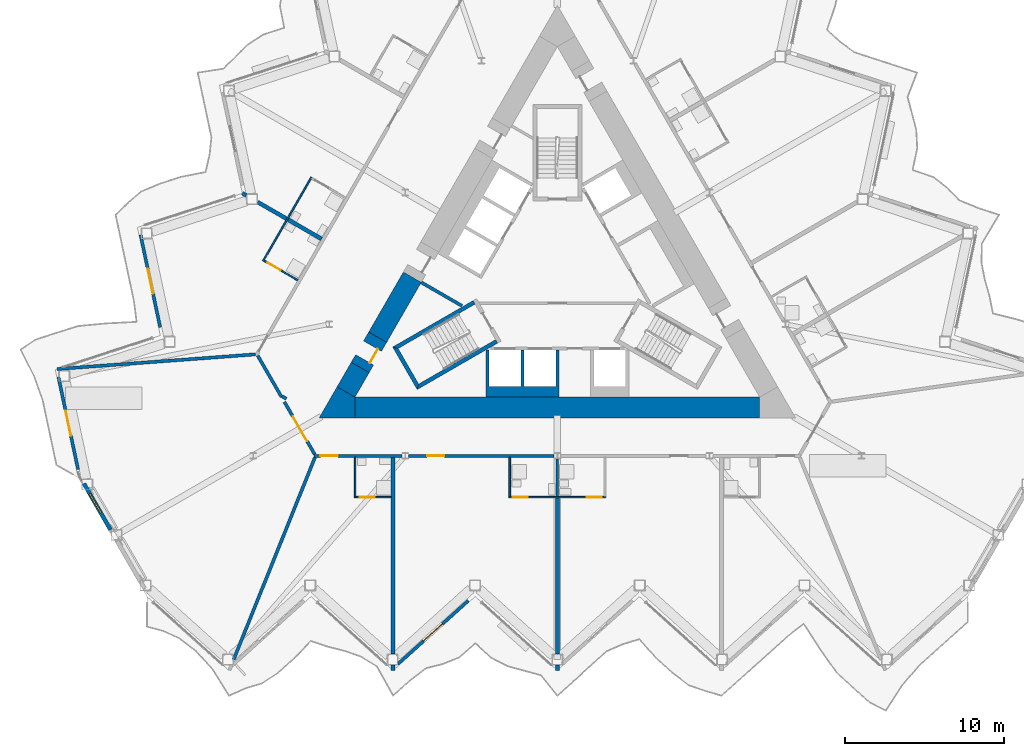
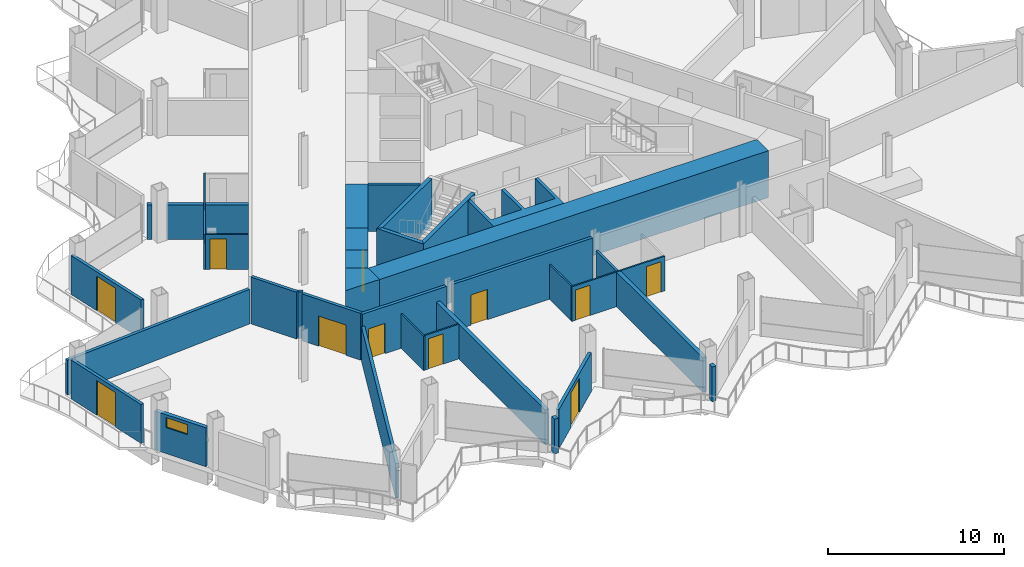
# One storey, part 11 of 24: 34 walls, 11 doors, 1 window, 12 openings.
"""IFC4 building model written with IfcOpenShell, lengths in metres."""

from ifc_helpers import new_model, si_unit, direction, frame, frame_2d, origin, place, context, subcontext, project, spatial, polyline, rectangle, outline, extrude, material, layer, layer_set, type_object, element, fill, save


model = new_model("IFC4")

# Units and contexts
model_context = context("Model", 3, precision=1e-05, world=origin(), true_north=direction((0.0, 1.0)))
body_context = subcontext(model_context, "Body", "Model", "MODEL_VIEW")
ifc_project = project(units=[si_unit("LENGTHUNIT", "METRE"), si_unit("AREAUNIT", "SQUARE_METRE"), si_unit("VOLUMEUNIT", "CUBIC_METRE"), si_unit("PLANEANGLEUNIT", "RADIAN"), si_unit("MASSUNIT", "GRAM", prefix="KILO")], contexts=[model_context])

# Site, building, storey
site_placement = place(None, origin())
site = spatial("IfcSite", under=ifc_project, at=site_placement, CompositionType="ELEMENT")
building_placement = place(site_placement, origin())
building = spatial("IfcBuilding", under=site, at=building_placement, Name="Cormorant Prow Tower", CompositionType="ELEMENT")
storey_placement = place(building_placement, frame((0.0, 0.0, 231.0)))
storey = spatial("IfcBuildingStorey", under=building, at=storey_placement, Name="L50", CompositionType="ELEMENT", Elevation=231.0)

# Walls
ifc_material_1 = material(Name="Concrete 8000 psi", Category="concrete")
ifc_layer_1 = layer(ifc_material_1, 1.300048828125)
ifc_layer_set_1 = layer_set([ifc_layer_1], Name="Concrete 8000 psi")
wall_type_1 = type_object("IfcWallType", Name="Core shear wall 1300", PredefinedType="SHEAR", material=ifc_layer_set_1)
wall_1_placement = place(storey_placement, frame((-12.748291015625, -8.01025390625, 0.0), z_axis=(0.0, 0.0, 1.0), x_axis=(1.0, 0.0, 0.0)))
element("IfcWall", 1, at=wall_1_placement, inside=storey, type_object=wall_type_1, Name="Core wall", PredefinedType="SHEAR", context=body_context, shape_type="SweptSolid", body=[
    extrude(rectangle(XDim=25.49658203125, YDim=1.300048828125, at=frame_2d((12.748291015625, 0.0))), origin(), (0.0, 0.0, 1.0), 3.25),
])
wall_2_placement = place(storey_placement, frame((-9.13720703125, 0.194580078125, 0.0), z_axis=(0.0, 0.0, 1.0), x_axis=(-0.499985697398, -0.866033661238, 0.0)))
element("IfcWall", 2, at=wall_2_placement, inside=storey, type_object=wall_type_1, Name="Core wall", PredefinedType="SHEAR", context=body_context, shape_type="SweptSolid", body=[
    extrude(rectangle(XDim=4.362060546875, YDim=1.300048828125, at=frame_2d((2.18115234375, 0.0))), origin(), (0.0, 0.0, 1.0), 3.25),
])
wall_3_placement = place(storey_placement, frame((-12.418212890625, -5.48828125, 0.0), z_axis=(0.0, 0.0, 1.0), x_axis=(-0.499931460552, -0.866064971437, 0.0)))
element("IfcWall", 3, at=wall_3_placement, inside=storey, type_object=wall_type_1, Name="Core wall", PredefinedType="SHEAR", context=body_context, shape_type="SweptSolid", body=[
    extrude(rectangle(XDim=1.786376953125, YDim=1.300048828125, at=frame_2d((0.89306640625, 0.0))), origin(), (0.0, 0.0, 1.0), 3.25),
])
wall_4_placement = place(storey_placement, origin())
element("IfcWall", 4, at=wall_4_placement, inside=storey, type_object=wall_type_1, Name="Core wall corner", PredefinedType="SHEAR", context=body_context, shape_type="SweptSolid", body=[
    extrude(outline(polyline([(-13.874267578125, -6.710205078125), (-12.748291015625, -7.3603515625), (-12.748291015625, -8.660400390625), (-15.0, -8.660400390625), (-13.874267578125, -6.710205078125)])), origin(), (0.0, 0.0, 1.0), 3.25),
])

# Wall, opening, door
wall_5_placement = place(storey_placement, frame((-11.318115234375, -3.5830078125, 0.0), z_axis=(0.0, 0.0, 1.0), x_axis=(-0.50002983664, -0.866008176907, 0.0)))
wall_5 = element("IfcWall", 5, at=wall_5_placement, inside=storey, type_object=wall_type_1, Name="Core wall door panel", PredefinedType="SHEAR", context=body_context, shape_type="SweptSolid", body=[
    extrude(rectangle(XDim=2.199951171875, YDim=1.300048828125, at=frame_2d((1.10009765625, 0.0))), origin(), (0.0, 0.0, 1.0), 3.25),
])
opening_1_placement = place(wall_5_placement, frame((0.64990234375, 0.0, 0.0)))
opening_1 = element("IfcOpeningElement", 6, at=opening_1_placement, cuts=wall_5, Name="Opening L50-C14", PredefinedType="OPENING", context=body_context, shape_type="SweptSolid", body=[
    extrude(rectangle(XDim=1.0, YDim=2.10009765625, at=frame_2d((0.5, 1.050048828125))), frame((0.0, 0.659912109375, 0.0), z_axis=(0.0, -1.0, 0.0), x_axis=(1.0, 0.0, 0.0)), (0.0, 0.0, 1.0), 1.320068359375),
])
ifc_material_2 = material(Name="Painted steel", Category="steel")
door_type_1 = type_object("IfcDoorType", Name="Service door 1000x2100", OperationType="NOTDEFINED", PredefinedType="DOOR", material=ifc_material_2)
door_1_placement = place(opening_1_placement, origin())
door_1 = element("IfcDoor", 7, at=door_1_placement, inside=storey, type_object=door_type_1, Name="Core door, Housekeeping store", OperationType="SINGLE_SWING_LEFT", OverallHeight=2.10009765625, OverallWidth=1.0, PredefinedType="DOOR", context=body_context, shape_type="SweptSolid", body=[
    extrude(rectangle(XDim=1.0, YDim=2.10009765625, at=frame_2d((0.5, 1.050048828125))), frame((0.0, 0.40478515625, 0.0), z_axis=(0.0, -1.0, 0.0), x_axis=(1.0, 0.0, 0.0)), (0.0, 0.0, 1.0), 0.050048828125),
])
fill(opening_1, door_1)

ifc_material_3 = material(Name="Gypsum board corridor wall")
ifc_layer_2 = layer(ifc_material_3, 0.199951171875)
ifc_layer_set_2 = layer_set([ifc_layer_2], Name="Gypsum board corridor wall")
wall_type_2 = type_object("IfcWallType", Name="Corridor wall 200", PredefinedType="PARTITIONING", material=ifc_layer_set_2)
wall_6_placement = place(storey_placement, frame((-9.368896484375, -11.060302734375, 0.0), z_axis=(0.0, 0.0, 1.0), x_axis=(1.0, 0.0, 0.0)))
wall_6 = element("IfcWall", 8, at=wall_6_placement, inside=storey, type_object=wall_type_2, Name="Corridor wall", PredefinedType="PARTITIONING", context=body_context, shape_type="SweptSolid", body=[
    extrude(rectangle(XDim=9.159423828125, YDim=0.199951171875, at=frame_2d((4.57958984375, 0.0))), origin(), (0.0, 0.0, 1.0), 3.25),
])
opening_2_placement = place(wall_6_placement, frame((1.1572265625, 0.0, 0.0)))
opening_2 = element("IfcOpeningElement", 9, at=opening_2_placement, cuts=wall_6, Name="Opening L50-F03", PredefinedType="OPENING", context=body_context, shape_type="SweptSolid", body=[
    extrude(rectangle(XDim=1.10009765625, YDim=2.10009765625, at=frame_2d((0.550048828125, 1.050048828125))), frame((0.0, 0.10986328125, 0.0), z_axis=(0.0, -1.0, 0.0), x_axis=(1.0, 0.0, 0.0)), (0.0, 0.0, 1.0), 0.219970703125),
])
ifc_material_4 = material(Name="Timber door leaf", Category="wood")
door_type_2 = type_object("IfcDoorType", Name="Suite entrance door 1100x2100", OperationType="NOTDEFINED", PredefinedType="DOOR", material=ifc_material_4)
door_2_placement = place(opening_2_placement, origin())
door_2 = element("IfcDoor", 10, at=door_2_placement, inside=storey, type_object=door_type_2, Name="Junior suite door", OperationType="SINGLE_SWING_RIGHT", OverallHeight=2.10009765625, OverallWidth=1.10009765625, PredefinedType="DOOR", context=body_context, shape_type="SweptSolid", body=[
    extrude(rectangle(XDim=1.10009765625, YDim=2.10009765625, at=frame_2d((0.550048828125, 1.050048828125))), frame((0.0, 0.02490234375, 0.0), z_axis=(0.0, -1.0, 0.0), x_axis=(1.0, 0.0, 0.0)), (0.0, 0.0, 1.0), 0.050048828125),
])
fill(opening_2, door_2)

wall_7_placement = place(storey_placement, frame((-15.330810546875, -11.060302734375, 0.0), z_axis=(0.0, 0.0, 1.0), x_axis=(1.0, 0.0, 0.0)))
wall_7 = element("IfcWall", 11, at=wall_7_placement, inside=storey, type_object=wall_type_2, Name="Corridor wall", PredefinedType="PARTITIONING", context=body_context, shape_type="SweptSolid", body=[
    extrude(rectangle(XDim=5.542724609375, YDim=0.199951171875, at=frame_2d((2.771484375, 0.0))), origin(), (0.0, 0.0, 1.0), 3.25),
])
opening_3_placement = place(wall_7_placement, frame((0.403076171875, 0.0, 0.0)))
opening_3 = element("IfcOpeningElement", 12, at=opening_3_placement, cuts=wall_7, Name="Opening L50-F01", PredefinedType="OPENING", context=body_context, shape_type="SweptSolid", body=[
    extrude(rectangle(XDim=1.10009765625, YDim=2.10009765625, at=frame_2d((0.550048828125, 1.050048828125))), frame((0.0, 0.10986328125, 0.0), z_axis=(0.0, -1.0, 0.0), x_axis=(1.0, 0.0, 0.0)), (0.0, 0.0, 1.0), 0.219970703125),
])
door_3_placement = place(opening_3_placement, origin())
door_3 = element("IfcDoor", 13, at=door_3_placement, inside=storey, type_object=door_type_2, Name="Junior suite door", OperationType="SINGLE_SWING_LEFT", OverallHeight=2.10009765625, OverallWidth=1.10009765625, PredefinedType="DOOR", context=body_context, shape_type="SweptSolid", body=[
    extrude(rectangle(XDim=1.10009765625, YDim=2.10009765625, at=frame_2d((0.550048828125, 1.050048828125))), frame((0.0, 0.02490234375, 0.0), z_axis=(0.0, -1.0, 0.0), x_axis=(1.0, 0.0, 0.0)), (0.0, 0.0, 1.0), 0.050048828125),
])
fill(opening_3, door_3)

wall_8_placement = place(storey_placement, frame((-17.19384765625, -7.660400390625, 0.0), z_axis=(0.0, 0.0, 1.0), x_axis=(0.499989446428, -0.866031496806, 0.0)))
wall_8 = element("IfcWall", 14, at=wall_8_placement, inside=storey, type_object=wall_type_2, Name="Corridor wall", PredefinedType="PARTITIONING", context=body_context, shape_type="SweptSolid", body=[
    extrude(rectangle(XDim=3.82568359375, YDim=0.199951171875, at=frame_2d((1.912841796875, 0.0))), origin(), (0.0, 0.0, 1.0), 3.25),
])
opening_4_placement = place(wall_8_placement, frame((1.06396484375, 0.0, 0.0)))
opening_4 = element("IfcOpeningElement", 15, at=opening_4_placement, cuts=wall_8, Name="Opening L50-F26", PredefinedType="OPENING", context=body_context, shape_type="SweptSolid", body=[
    extrude(rectangle(XDim=1.800048828125, YDim=2.10009765625, at=frame_2d((0.89990234375, 1.050048828125))), frame((0.0, 0.10986328125, 0.0), z_axis=(0.0, -1.0, 0.0), x_axis=(1.0, 0.0, 0.0)), (0.0, 0.0, 1.0), 0.219970703125),
])
ifc_material_5 = material(Name="Timber door leaf", Category="wood")
door_type_3 = type_object("IfcDoorType", Name="Double door 1800x2100", OperationType="DOUBLE_DOOR_SINGLE_SWING", PredefinedType="DOOR", material=ifc_material_5)
door_4_placement = place(opening_4_placement, origin())
door_4 = element("IfcDoor", 16, at=door_4_placement, inside=storey, type_object=door_type_3, Name="Co-working space door", OperationType="DOUBLE_DOOR_SINGLE_SWING", OverallHeight=2.10009765625, OverallWidth=1.800048828125, PredefinedType="DOOR", context=body_context, shape_type="SweptSolid", body=[
    extrude(rectangle(XDim=1.800048828125, YDim=2.10009765625, at=frame_2d((0.89990234375, 1.050048828125))), frame((0.0, 0.02490234375, 0.0), z_axis=(0.0, -1.0, 0.0), x_axis=(1.0, 0.0, 0.0)), (0.0, 0.0, 1.0), 0.050048828125),
])
fill(opening_4, door_4)

# Walls
wall_9_placement = place(storey_placement, frame((-18.8759765625, -4.746826171875, 0.0), z_axis=(0.0, 0.0, 1.0), x_axis=(0.499952404951, -0.866052881055, 0.0)))
element("IfcWall", 17, at=wall_9_placement, inside=storey, type_object=wall_type_2, Name="Corridor wall", PredefinedType="PARTITIONING", context=body_context, shape_type="SweptSolid", body=[
    extrude(rectangle(XDim=3.002197265625, YDim=0.199951171875, at=frame_2d((1.5009765625, 0.0))), origin(), (0.0, 0.0, 1.0), 3.25),
])
wall_10_placement = place(storey_placement, frame((-17.33837890625, -7.310302734375, 0.0), z_axis=(0.0, 0.0, 1.0), x_axis=(0.866054481515, -0.499949632511, 0.0)))
element("IfcWall", 18, at=wall_10_placement, inside=storey, type_object=wall_type_2, Name="Corridor wall", PredefinedType="PARTITIONING", context=body_context, shape_type="SweptSolid", body=[
    extrude(rectangle(XDim=0.31005859375, YDim=0.199951171875, at=frame_2d((0.155029296875, 0.0))), origin(), (0.0, 0.0, 1.0), 3.25),
])
ifc_material_6 = material(Name="Gypsum board demising wall")
ifc_layer_3 = layer(ifc_material_6, 0.199951171875)
ifc_layer_set_3 = layer_set([ifc_layer_3], Name="Gypsum board demising wall")
wall_type_3 = type_object("IfcWallType", Name="Demising wall 200", PredefinedType="PARTITIONING", material=ifc_layer_set_3)
wall_11_placement = place(storey_placement, frame((-20.39306640625, -23.89697265625, 0.0), z_axis=(0.0, 0.0, 1.0), x_axis=(0.373096979113, 0.927792349708, 0.0)))
element("IfcWall", 19, at=wall_11_placement, inside=storey, type_object=wall_type_3, Name="Demising wall", PredefinedType="PARTITIONING", context=body_context, shape_type="SweptSolid", body=[
    extrude(rectangle(XDim=13.73583984375, YDim=0.199951171875, at=frame_2d((6.867919921875, 0.0))), origin(), (0.0, 0.0, 1.0), 2.404296875),
])
wall_12_placement = place(storey_placement, frame((-31.51806640625, -5.589599609375, 0.0), z_axis=(0.0, 0.0, 1.0), x_axis=(0.99728681237, 0.073613951618, 0.0)))
element("IfcWall", 20, at=wall_12_placement, inside=storey, type_object=wall_type_3, Name="Demising wall", PredefinedType="PARTITIONING", context=body_context, shape_type="SweptSolid", body=[
    extrude(rectangle(XDim=12.5263671875, YDim=0.199951171875, at=frame_2d((6.26318359375, 0.0))), origin(), (0.0, 0.0, 1.0), 2.404296875),
])

# Wall, openings, doors
ifc_material_7 = material(Name="Gypsum board partition")
ifc_layer_4 = layer(ifc_material_7, 0.10009765625)
ifc_layer_set_4 = layer_set([ifc_layer_4], Name="Gypsum board partition")
wall_type_4 = type_object("IfcWallType", Name="Internal partition 100", PredefinedType="PARTITIONING", material=ifc_layer_set_4)
wall_13_placement = place(storey_placement, frame((-3.050048828125, -13.660400390625, 0.0), z_axis=(0.0, 0.0, 1.0), x_axis=(1.0, 0.0, 0.0)))
wall_13 = element("IfcWall", 21, at=wall_13_placement, inside=storey, type_object=wall_type_4, Name="Internal partition", PredefinedType="PARTITIONING", context=body_context, shape_type="SweptSolid", body=[
    extrude(rectangle(XDim=6.10009765625, YDim=0.10009765625, at=frame_2d((3.050048828125, 0.0))), origin(), (0.0, 0.0, 1.0), 2.404296875),
])
opening_5_placement = place(wall_13_placement, frame((0.25, 0.0, 0.0)))
opening_5 = element("IfcOpeningElement", 22, at=opening_5_placement, cuts=wall_13, Name="Opening L50-F04", PredefinedType="OPENING", context=body_context, shape_type="SweptSolid", body=[
    extrude(rectangle(XDim=0.949951171875, YDim=2.10009765625, at=frame_2d((0.47509765625, 1.050048828125))), frame((0.0, 0.06005859375, 0.0), z_axis=(0.0, -1.0, 0.0), x_axis=(1.0, 0.0, 0.0)), (0.0, 0.0, 1.0), 0.1201171875),
])
opening_6_placement = place(wall_13_placement, frame((4.89990234375, 0.0, 0.0)))
opening_6 = element("IfcOpeningElement", 23, at=opening_6_placement, cuts=wall_13, Name="Opening L50-F06", PredefinedType="OPENING", context=body_context, shape_type="SweptSolid", body=[
    extrude(rectangle(XDim=0.949951171875, YDim=2.10009765625, at=frame_2d((0.47509765625, 1.050048828125))), frame((0.0, 0.06005859375, 0.0), z_axis=(0.0, -1.0, 0.0), x_axis=(1.0, 0.0, 0.0)), (0.0, 0.0, 1.0), 0.1201171875),
])
ifc_material_8 = material(Name="Timber door leaf", Category="wood")
door_type_4 = type_object("IfcDoorType", Name="Bathroom door 950x2100", OperationType="NOTDEFINED", PredefinedType="DOOR", material=ifc_material_8)
door_5_placement = place(opening_5_placement, origin())
door_5 = element("IfcDoor", 24, at=door_5_placement, inside=storey, type_object=door_type_4, Name="Junior suite door", OperationType="SINGLE_SWING_LEFT", OverallHeight=2.10009765625, OverallWidth=0.949951171875, PredefinedType="DOOR", context=body_context, shape_type="SweptSolid", body=[
    extrude(rectangle(XDim=0.949951171875, YDim=2.10009765625, at=frame_2d((0.47509765625, 1.050048828125))), frame((0.0, 0.02490234375, 0.0), z_axis=(0.0, -1.0, 0.0), x_axis=(1.0, 0.0, 0.0)), (0.0, 0.0, 1.0), 0.050048828125),
])
fill(opening_5, door_5)
door_6_placement = place(opening_6_placement, origin())
door_6 = element("IfcDoor", 25, at=door_6_placement, inside=storey, type_object=door_type_4, Name="Junior suite door", OperationType="SINGLE_SWING_RIGHT", OverallHeight=2.10009765625, OverallWidth=0.949951171875, PredefinedType="DOOR", context=body_context, shape_type="SweptSolid", body=[
    extrude(rectangle(XDim=0.949951171875, YDim=2.10009765625, at=frame_2d((0.47509765625, 1.050048828125))), frame((0.0, 0.02490234375, 0.0), z_axis=(0.0, -1.0, 0.0), x_axis=(1.0, 0.0, 0.0)), (0.0, 0.0, 1.0), 0.050048828125),
])
fill(opening_6, door_6)

# Wall
wall_14_placement = place(storey_placement, frame((-18.539306640625, 1.209716796875, 0.0), z_axis=(0.0, 0.0, 1.0), x_axis=(0.500008851346, 0.866020293397, 0.0)))
element("IfcWall", 26, at=wall_14_placement, inside=storey, type_object=wall_type_4, Name="Internal partition", PredefinedType="PARTITIONING", context=body_context, shape_type="SweptSolid", body=[
    extrude(rectangle(XDim=6.10009765625, YDim=0.10009765625, at=frame_2d((3.050048828125, 0.0))), origin(), (0.0, 0.0, 1.0), 2.404296875),
])

# Wall, opening, door
wall_15_placement = place(storey_placement, frame((-18.470947265625, 1.22802734375, 0.0), z_axis=(0.0, 0.0, 1.0), x_axis=(0.866057815567, -0.499943856944, 0.0)))
wall_15 = element("IfcWall", 27, at=wall_15_placement, inside=storey, type_object=wall_type_4, Name="Internal partition", PredefinedType="PARTITIONING", context=body_context, shape_type="SweptSolid", body=[
    extrude(rectangle(XDim=2.449951171875, YDim=0.10009765625, at=frame_2d((1.22509765625, 0.0))), origin(), (0.0, 0.0, 1.0), 2.404296875),
])
opening_7_placement = place(wall_15_placement, frame((0.25, 0.0, 0.0)))
opening_7 = element("IfcOpeningElement", 28, at=opening_7_placement, cuts=wall_15, Name="Opening L50-F25", PredefinedType="OPENING", context=body_context, shape_type="SweptSolid", body=[
    extrude(rectangle(XDim=0.949951171875, YDim=2.10009765625, at=frame_2d((0.47509765625, 1.050048828125))), frame((0.0, 0.06005859375, 0.0), z_axis=(0.0, -1.0, 0.0), x_axis=(1.0, 0.0, 0.0)), (0.0, 0.0, 1.0), 0.1201171875),
])
door_7_placement = place(opening_7_placement, origin())
door_7 = element("IfcDoor", 29, at=door_7_placement, inside=storey, type_object=door_type_4, Name="Executive suite bedroom door", OperationType="SINGLE_SWING_LEFT", OverallHeight=2.10009765625, OverallWidth=0.949951171875, PredefinedType="DOOR", context=body_context, shape_type="SweptSolid", body=[
    extrude(rectangle(XDim=0.949951171875, YDim=2.10009765625, at=frame_2d((0.47509765625, 1.050048828125))), frame((0.0, 0.02490234375, 0.0), z_axis=(0.0, -1.0, 0.0), x_axis=(1.0, 0.0, 0.0)), (0.0, 0.0, 1.0), 0.050048828125),
])
fill(opening_7, door_7)

# Walls
wall_16_placement = place(storey_placement, frame((-12.743896484375, -13.710205078125, 0.0), z_axis=(0.0, 0.0, 1.0), x_axis=(0.0, 1.0, 0.0)))
element("IfcWall", 30, at=wall_16_placement, inside=storey, type_object=wall_type_4, Name="Internal partition", PredefinedType="PARTITIONING", context=body_context, shape_type="SweptSolid", body=[
    extrude(rectangle(XDim=2.5498046875, YDim=0.10009765625, at=frame_2d((1.27490234375, 0.0))), origin(), (0.0, 0.0, 1.0), 2.404296875),
])
wall_17_placement = place(storey_placement, frame((-3.0, -13.6103515625, 0.0), z_axis=(0.0, 0.0, 1.0), x_axis=(0.0, 1.0, 0.0)))
element("IfcWall", 31, at=wall_17_placement, inside=storey, type_object=wall_type_4, Name="Internal partition", PredefinedType="PARTITIONING", context=body_context, shape_type="SweptSolid", body=[
    extrude(rectangle(XDim=2.449951171875, YDim=0.10009765625, at=frame_2d((1.22509765625, 0.0))), origin(), (0.0, 0.0, 1.0), 2.404296875),
])

# Wall, opening, door
wall_18_placement = place(storey_placement, frame((-12.69384765625, -13.660400390625, 0.0), z_axis=(0.0, 0.0, 1.0), x_axis=(1.0, 0.0, 0.0)))
wall_18 = element("IfcWall", 32, at=wall_18_placement, inside=storey, type_object=wall_type_4, Name="Internal partition", PredefinedType="PARTITIONING", context=body_context, shape_type="SweptSolid", body=[
    extrude(rectangle(XDim=2.22509765625, YDim=0.10009765625, at=frame_2d((1.112548828125, 0.0))), origin(), (0.0, 0.0, 1.0), 2.404296875),
])
opening_8_placement = place(wall_18_placement, frame((0.25, 0.0, 0.0)))
opening_8 = element("IfcOpeningElement", 33, at=opening_8_placement, cuts=wall_18, Name="Opening L50-F02", PredefinedType="OPENING", context=body_context, shape_type="SweptSolid", body=[
    extrude(rectangle(XDim=0.949951171875, YDim=2.10009765625, at=frame_2d((0.47509765625, 1.050048828125))), frame((0.0, 0.06005859375, 0.0), z_axis=(0.0, -1.0, 0.0), x_axis=(1.0, 0.0, 0.0)), (0.0, 0.0, 1.0), 0.1201171875),
])
door_8_placement = place(opening_8_placement, origin())
door_8 = element("IfcDoor", 34, at=door_8_placement, inside=storey, type_object=door_type_4, Name="Junior suite door", OperationType="SINGLE_SWING_LEFT", OverallHeight=2.10009765625, OverallWidth=0.949951171875, PredefinedType="DOOR", context=body_context, shape_type="SweptSolid", body=[
    extrude(rectangle(XDim=0.949951171875, YDim=2.10009765625, at=frame_2d((0.47509765625, 1.050048828125))), frame((0.0, 0.02490234375, 0.0), z_axis=(0.0, -1.0, 0.0), x_axis=(1.0, 0.0, 0.0)), (0.0, 0.0, 1.0), 0.050048828125),
])
fill(opening_8, door_8)

# Walls
ifc_material_9 = material(Name="Concrete 8000 psi", Category="concrete")
ifc_layer_5 = layer(ifc_material_9, 0.199951171875)
ifc_layer_set_5 = layer_set([ifc_layer_5], Name="Concrete 8000 psi")
wall_type_5 = type_object("IfcWallType", Name="Lift shaft wall 200", PredefinedType="SHEAR", material=ifc_layer_set_5)
wall_19_placement = place(storey_placement, origin())
element("IfcWall", 35, at=wall_19_placement, inside=storey, type_object=wall_type_5, Name="Lift shaft walls, S block", PredefinedType="SHEAR", context=body_context, shape_type="SweptSolid", body=[
    extrude(outline(polyline([(0.10009765625, -7.3603515625), (-4.5, -7.3603515625), (-4.5, -4.39990234375), (-4.300048828125, -4.39990234375), (-4.300048828125, -6.699951171875), (-2.300048828125, -6.699951171875), (-2.300048828125, -4.39990234375), (-2.10009765625, -4.39990234375), (-2.10009765625, -6.699951171875), (-0.10009765625, -6.699951171875), (-0.10009765625, -4.39990234375), (0.10009765625, -4.39990234375), (0.10009765625, -7.3603515625)])), origin(), (0.0, 0.0, 1.0), 3.25),
])
wall_20_placement = place(storey_placement, origin())
element("IfcWall", 36, at=wall_20_placement, inside=storey, type_object=wall_type_5, Name="Lift shaft walls, WNW block", PredefinedType="SHEAR", context=body_context, shape_type="SweptSolid", body=[
    extrude(outline(polyline([(-8.524169921875, -0.043701171875), (-8.130859375, -0.27099609375), (-5.96044921875, -1.52392578125), (-6.060546875, -1.697021484375), (-8.230712890625, -0.444091796875), (-8.624267578125, -0.217041015625), (-8.524169921875, -0.043701171875)])), origin(), (0.0, 0.0, 1.0), 3.25),
])
ifc_material_10 = material(Name="Concrete 8000 psi", Category="concrete")
ifc_layer_6 = layer(ifc_material_10, 0.25)
ifc_layer_set_6 = layer_set([ifc_layer_6], Name="Concrete 8000 psi")
wall_type_6 = type_object("IfcWallType", Name="Stair wall 250", PredefinedType="SHEAR", material=ifc_layer_set_6)
wall_21_placement = place(storey_placement, origin())
element("IfcWall", 37, at=wall_21_placement, inside=storey, type_object=wall_type_6, Name="Stair ST1 enclosure wall (flank)", PredefinedType="SHEAR", context=body_context, shape_type="SweptSolid", body=[
    extrude(outline(polyline([(-5.30712890625, -1.28125), (-10.37353515625, -4.206298828125), (-10.031982421875, -4.2978515625), (-5.18212890625, -1.497802734375), (-5.30712890625, -1.28125)])), origin(), (0.0, 0.0, 1.0), 3.25),
])
wall_22_placement = place(storey_placement, origin())
element("IfcWall", 38, at=wall_22_placement, inside=storey, type_object=wall_type_6, Name="Stair ST1 enclosure wall (end)", PredefinedType="SHEAR", context=body_context, shape_type="SweptSolid", body=[
    extrude(outline(polyline([(-10.37353515625, -4.206298828125), (-8.82958984375, -6.880615234375), (-8.738037109375, -6.5390625), (-10.031982421875, -4.2978515625), (-10.37353515625, -4.206298828125)])), origin(), (0.0, 0.0, 1.0), 3.25),
])
wall_23_placement = place(storey_placement, origin())
element("IfcWall", 39, at=wall_23_placement, inside=storey, type_object=wall_type_6, Name="Stair ST1 enclosure wall (flank)", PredefinedType="SHEAR", context=body_context, shape_type="SweptSolid", body=[
    extrude(outline(polyline([(-8.738037109375, -6.5390625), (-8.82958984375, -6.880615234375), (-3.76318359375, -3.95556640625), (-3.88818359375, -3.739013671875), (-8.738037109375, -6.5390625)])), origin(), (0.0, 0.0, 1.0), 3.25),
])
ifc_material_11 = material(Name="Acoustic gypsum party wall")
ifc_layer_7 = layer(ifc_material_11, 0.25)
ifc_layer_set_7 = layer_set([ifc_layer_7], Name="Acoustic gypsum party wall")
wall_type_7 = type_object("IfcWallType", Name="Suite party wall 250", PredefinedType="PARTITIONING", material=ifc_layer_set_7)
wall_24_placement = place(storey_placement, frame((-10.34375, -23.52685546875, 0.0), z_axis=(0.0, 0.0, 1.0), x_axis=(0.0, 1.0, 0.0)))
element("IfcWall", 40, at=wall_24_placement, inside=storey, type_object=wall_type_7, Name="Suite party wall", PredefinedType="PARTITIONING", context=body_context, shape_type="SweptSolid", body=[
    extrude(rectangle(XDim=12.366455078125, YDim=0.25, at=frame_2d((6.18310546875, 0.0))), origin(), (0.0, 0.0, 1.0), 2.404296875),
])
wall_25_placement = place(storey_placement, frame((0.0, -23.52685546875, 0.0), z_axis=(0.0, 0.0, 1.0), x_axis=(0.0, 1.0, 0.0)))
element("IfcWall", 41, at=wall_25_placement, inside=storey, type_object=wall_type_7, Name="Suite party wall", PredefinedType="PARTITIONING", context=body_context, shape_type="SweptSolid", body=[
    extrude(rectangle(XDim=9.816650390625, YDim=0.25, at=frame_2d((4.908203125, 0.0))), origin(), (0.0, 0.0, 1.0), 2.404296875),
])
wall_26_placement = place(storey_placement, frame((-18.875, 4.925537109375, 0.0), z_axis=(0.0, 0.0, 1.0), x_axis=(0.866014168242, -0.500019460026, 0.0)))
element("IfcWall", 42, at=wall_26_placement, inside=storey, type_object=wall_type_7, Name="Suite party wall", PredefinedType="PARTITIONING", context=body_context, shape_type="SweptSolid", body=[
    extrude(rectangle(XDim=4.648681640625, YDim=0.25, at=frame_2d((2.32421875, 0.0))), origin(), (0.0, 0.0, 1.0), 2.404296875),
])
for number, where, z_axis, x_axis, name in (
    (43, (-10.34375, -24.57958984375, 0.0), (0.0, 0.0, 1.0), (0.0, 1.0, 0.0), "Suite party wall"),
    (44, (0.0, -24.57958984375, 0.0), (0.0, 0.0, 1.0), (0.0, 1.0, 0.0), "Suite party wall"),
):
    element("IfcWall", number, at=place(storey_placement, frame(where, z_axis=z_axis, x_axis=x_axis)), inside=storey, type_object=wall_type_7, Name=name, PredefinedType="PARTITIONING", context=body_context, shape_type="SweptSolid", body=[
        extrude(rectangle(XDim=0.332763671875, YDim=0.25, at=frame_2d((0.16650390625, 0.0))), origin(), (0.0, 0.0, 1.0), 2.404296875),
    ])
wall_27_placement = place(storey_placement, frame((-19.839599609375, 5.482421875, 0.0), z_axis=(0.0, 0.0, 1.0), x_axis=(0.865998287773, -0.500046963369, 0.0)))
element("IfcWall", 45, at=wall_27_placement, inside=storey, type_object=wall_type_7, Name="Suite party wall", PredefinedType="PARTITIONING", context=body_context, shape_type="SweptSolid", body=[
    extrude(rectangle(XDim=0.2822265625, YDim=0.25, at=frame_2d((0.14111328125, 0.0))), origin(), (0.0, 0.0, 1.0), 2.404296875),
])

# Wall, opening, window
ifc_material_12 = material(Name="Terracotta", Category="masonry")
ifc_layer_8 = layer(ifc_material_12, 0.25)
ifc_layer_set_8 = layer_set([ifc_layer_8], Name="Terracotta")
wall_type_8 = type_object("IfcWallType", Name="Terracotta bay wall 250", PredefinedType="SOLIDWALL", material=ifc_layer_set_8)
wall_28_placement = place(storey_placement, frame((-29.82470703125, -12.804931640625, 0.0), z_axis=(0.0, 0.0, 1.0), x_axis=(0.500003693016, -0.86602327161, 0.0)))
wall_28 = element("IfcWall", 46, at=wall_28_placement, inside=storey, type_object=wall_type_8, Name="Terracotta bay wall WSW00", PredefinedType="SOLIDWALL", context=body_context, shape_type="SweptSolid", body=[
    extrude(rectangle(XDim=3.3564453125, YDim=0.25, at=frame_2d((1.67822265625, 0.0))), origin(), (0.0, 0.0, 1.0), 2.700927734375),
])
opening_9_placement = place(wall_28_placement, frame((0.75, 0.0, 1.800048828125)))
opening_9 = element("IfcOpeningElement", 47, at=opening_9_placement, cuts=wall_28, Name="Opening WN4", PredefinedType="OPENING", context=body_context, shape_type="SweptSolid", body=[
    extrude(rectangle(XDim=1.39990234375, YDim=0.699951171875, at=frame_2d((0.699951171875, 0.35009765625))), frame((0.0, 0.135009765625, 0.0), z_axis=(0.0, -1.0, 0.0), x_axis=(1.0, 0.0, 0.0)), (0.0, 0.0, 1.0), 0.27001953125),
])
ifc_material_13 = material(Name="Aluminium 6063-T6", Category="aluminium")
window_type = type_object("IfcWindowType", Name="Corner bay window 1400x700", PartitioningType="SINGLE_PANEL", PredefinedType="WINDOW", material=ifc_material_13)
window_placement = place(opening_9_placement, origin())
window = element("IfcWindow", 48, at=window_placement, inside=storey, type_object=window_type, Name="Corner bay window WSW00", OverallHeight=0.699951171875, OverallWidth=1.39990234375, PartitioningType="SINGLE_PANEL", PredefinedType="WINDOW", context=body_context, shape_type="SweptSolid", body=[
    extrude(rectangle(XDim=1.39990234375, YDim=0.699951171875, at=frame_2d((0.699951171875, 0.35009765625))), frame((0.0, 0.030029296875, 0.0), z_axis=(0.0, -1.0, 0.0), x_axis=(1.0, 0.0, 0.0)), (0.0, 0.0, 1.0), 0.06005859375),
])
fill(opening_9, window)

# Wall, opening, door
ifc_material_14 = material(Name="Terracotta", Category="masonry")
ifc_layer_9 = layer(ifc_material_14, 0.199951171875)
ifc_layer_set_9 = layer_set([ifc_layer_9], Name="Terracotta")
wall_type_9 = type_object("IfcWallType", Name="Terracotta jamb wall 200", PredefinedType="SOLIDWALL", material=ifc_layer_set_9)
wall_29_placement = place(storey_placement, frame((-10.038330078125, -24.170166015625, 0.0), z_axis=(0.0, 0.0, 1.0), x_axis=(0.743143336638, 0.669132259878, 0.0)))
wall_29 = element("IfcWall", 49, at=wall_29_placement, inside=storey, type_object=wall_type_9, Name="Terracotta jamb wall S03", PredefinedType="SOLIDWALL", context=body_context, shape_type="SweptSolid", body=[
    extrude(rectangle(XDim=5.95751953125, YDim=0.199951171875, at=frame_2d((2.978759765625, 0.0))), origin(), (0.0, 0.0, 1.0), 2.700927734375),
])
opening_10_placement = place(wall_29_placement, frame((2.1787109375, 0.0, 0.0)))
opening_10 = element("IfcOpeningElement", 50, at=opening_10_placement, cuts=wall_29, Name="Opening ED50.02", PredefinedType="OPENING", context=body_context, shape_type="SweptSolid", body=[
    extrude(rectangle(XDim=1.60009765625, YDim=2.39990234375, at=frame_2d((0.800048828125, 1.199951171875))), frame((0.0, 0.10986328125, 0.0), z_axis=(0.0, -1.0, 0.0), x_axis=(1.0, 0.0, 0.0)), (0.0, 0.0, 1.0), 0.219970703125),
])
ifc_material_15 = material(Name="Aluminium 6063-T6", Category="aluminium")
door_type_5 = type_object("IfcDoorType", Name="Balcony door 1600x2400", OperationType="DOUBLE_DOOR_SINGLE_SWING", PredefinedType="DOOR", material=ifc_material_15)
door_9_placement = place(opening_10_placement, origin())
door_9 = element("IfcDoor", 51, at=door_9_placement, inside=storey, type_object=door_type_5, Name="Balcony door S03 ED50.02", OperationType="DOUBLE_DOOR_SINGLE_SWING", OverallHeight=2.39990234375, OverallWidth=1.60009765625, PredefinedType="DOOR", context=body_context, shape_type="SweptSolid", body=[
    extrude(rectangle(XDim=1.60009765625, YDim=2.39990234375, at=frame_2d((0.800048828125, 1.199951171875))), frame((0.0, 0.02490234375, 0.0), z_axis=(0.0, -1.0, 0.0), x_axis=(1.0, 0.0, 0.0)), (0.0, 0.0, 1.0), 0.050048828125),
])
fill(opening_10, door_9)

wall_30_placement = place(storey_placement, frame((-26.256591796875, 2.862548828125, 0.0), z_axis=(0.0, 0.0, 1.0), x_axis=(0.207930802022, -0.978143538327, 0.0)))
wall_30 = element("IfcWall", 52, at=wall_30_placement, inside=storey, type_object=wall_type_9, Name="Terracotta jamb wall WNW07", PredefinedType="SOLIDWALL", context=body_context, shape_type="SweptSolid", body=[
    extrude(rectangle(XDim=5.95751953125, YDim=0.199951171875, at=frame_2d((2.978759765625, 0.0))), origin(), (0.0, 0.0, 1.0), 2.700927734375),
])
opening_11_placement = place(wall_30_placement, frame((2.1787109375, 0.0, 0.0)))
opening_11 = element("IfcOpeningElement", 53, at=opening_11_placement, cuts=wall_30, Name="Opening ED50.14", PredefinedType="OPENING", context=body_context, shape_type="SweptSolid", body=[
    extrude(rectangle(XDim=1.60009765625, YDim=2.39990234375, at=frame_2d((0.800048828125, 1.199951171875))), frame((0.0, 0.10986328125, 0.0), z_axis=(0.0, -1.0, 0.0), x_axis=(1.0, 0.0, 0.0)), (0.0, 0.0, 1.0), 0.219970703125),
])
door_10_placement = place(opening_11_placement, origin())
door_10 = element("IfcDoor", 54, at=door_10_placement, inside=storey, type_object=door_type_5, Name="Balcony door WNW07 ED50.14", OperationType="DOUBLE_DOOR_SINGLE_SWING", OverallHeight=2.39990234375, OverallWidth=1.60009765625, PredefinedType="DOOR", context=body_context, shape_type="SweptSolid", body=[
    extrude(rectangle(XDim=1.60009765625, YDim=2.39990234375, at=frame_2d((0.800048828125, 1.199951171875))), frame((0.0, 0.02490234375, 0.0), z_axis=(0.0, -1.0, 0.0), x_axis=(1.0, 0.0, 0.0)), (0.0, 0.0, 1.0), 0.050048828125),
])
fill(opening_11, door_10)

wall_31_placement = place(storey_placement, frame((-31.428466796875, -6.095458984375, 0.0), z_axis=(0.0, 0.0, 1.0), x_axis=(0.207939137045, -0.978141766456, 0.0)))
wall_31 = element("IfcWall", 55, at=wall_31_placement, inside=storey, type_object=wall_type_9, Name="Terracotta jamb wall WNW09", PredefinedType="SOLIDWALL", context=body_context, shape_type="SweptSolid", body=[
    extrude(rectangle(XDim=5.957275390625, YDim=0.199951171875, at=frame_2d((2.978515625, 0.0))), origin(), (0.0, 0.0, 1.0), 2.700927734375),
])
opening_12_placement = place(wall_31_placement, frame((2.1787109375, 0.0, 0.0)))
opening_12 = element("IfcOpeningElement", 56, at=opening_12_placement, cuts=wall_31, Name="Opening ED50.15", PredefinedType="OPENING", context=body_context, shape_type="SweptSolid", body=[
    extrude(rectangle(XDim=1.60009765625, YDim=2.39990234375, at=frame_2d((0.800048828125, 1.199951171875))), frame((0.0, 0.10986328125, 0.0), z_axis=(0.0, -1.0, 0.0), x_axis=(1.0, 0.0, 0.0)), (0.0, 0.0, 1.0), 0.219970703125),
])
door_11_placement = place(opening_12_placement, origin())
door_11 = element("IfcDoor", 57, at=door_11_placement, inside=storey, type_object=door_type_5, Name="Balcony door WNW09 ED50.15", OperationType="DOUBLE_DOOR_SINGLE_SWING", OverallHeight=2.39990234375, OverallWidth=1.60009765625, PredefinedType="DOOR", context=body_context, shape_type="SweptSolid", body=[
    extrude(rectangle(XDim=1.60009765625, YDim=2.39990234375, at=frame_2d((0.800048828125, 1.199951171875))), frame((0.0, 0.02490234375, 0.0), z_axis=(0.0, -1.0, 0.0), x_axis=(1.0, 0.0, 0.0)), (0.0, 0.0, 1.0), 0.050048828125),
])
fill(opening_12, door_11)

# Wall
ifc_material_16 = material(Name="Plasterboard wet wall with pipe chase")
ifc_layer_10 = layer(ifc_material_16, 0.14990234375)
ifc_layer_set_10 = layer_set([ifc_layer_10], Name="Plasterboard wet wall with pipe chase")
wall_type_10 = type_object("IfcWallType", Name="Wet wall 150", PredefinedType="PLUMBINGWALL", material=ifc_layer_set_10)
wall_32_placement = place(storey_placement, frame((0.0, -13.6103515625, 0.0), z_axis=(0.0, 0.0, 1.0), x_axis=(0.0, 1.0, 0.0)))
element("IfcWall", 58, at=wall_32_placement, inside=storey, type_object=wall_type_10, Name="Wet wall", PredefinedType="PLUMBINGWALL", context=body_context, shape_type="SweptSolid", body=[
    extrude(rectangle(XDim=2.340576171875, YDim=0.14990234375, at=frame_2d((1.17041015625, 0.0))), origin(), (0.0, 0.0, 1.0), 2.404296875),
])

save(model, "model.ifc")
